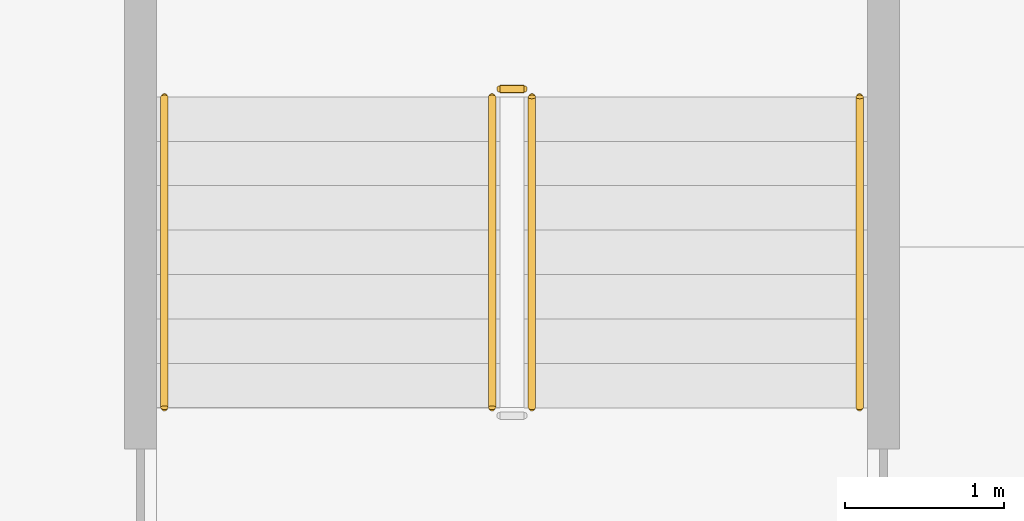
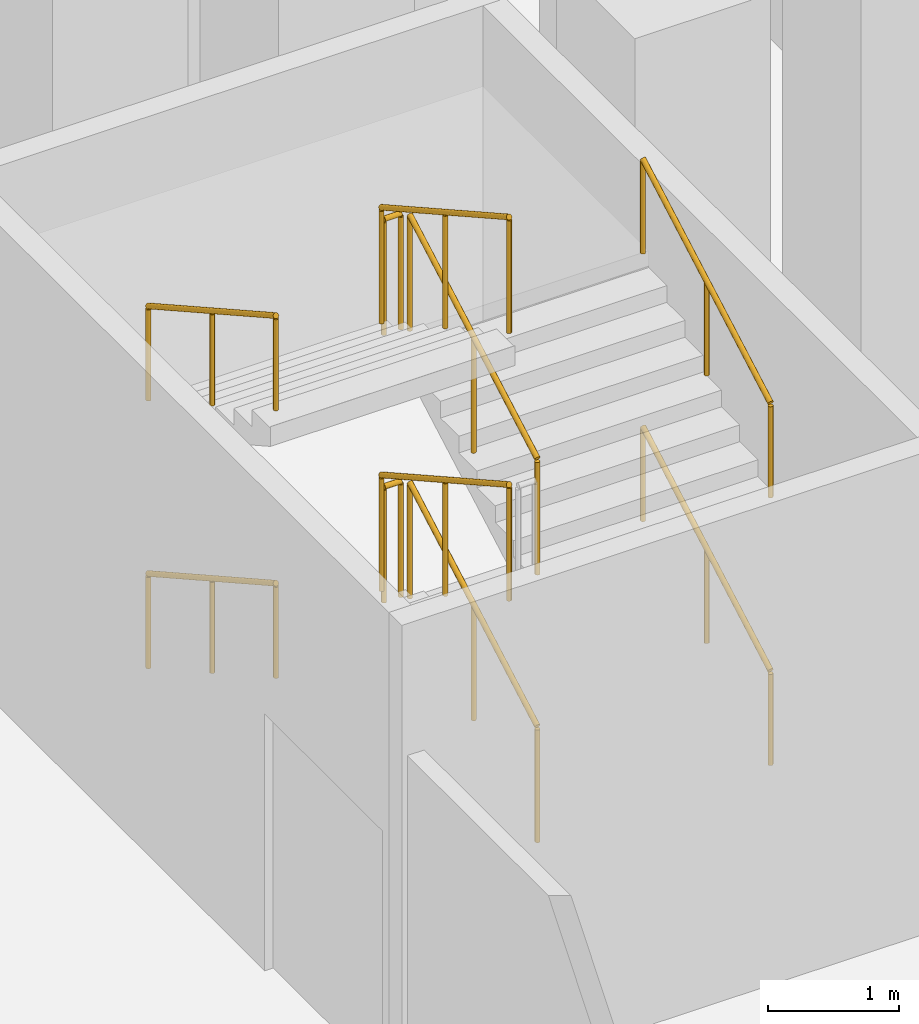
# One storey, part 26 of 27: 10 railings.
"""IFC4 building model written with IfcOpenShell, lengths in metres."""

from ifc_helpers import new_model, si_unit, direction, frame, origin, origin_2d, place, context, subcontext, project, spatial, circle, extrude, material, type_object, element, save


model = new_model("IFC4")

# Units and contexts
model_context = context("Model", 3, precision=1e-05, world=origin(), true_north=direction((0.0, 1.0)))
body_context = subcontext(model_context, "Body", "Model", "MODEL_VIEW")
ifc_project = project(units=[si_unit("LENGTHUNIT", "METRE"), si_unit("AREAUNIT", "SQUARE_METRE"), si_unit("VOLUMEUNIT", "CUBIC_METRE"), si_unit("PLANEANGLEUNIT", "RADIAN"), si_unit("MASSUNIT", "GRAM", prefix="KILO")], contexts=[model_context])

# Site, building, storey
site_placement = place(None, origin())
site = spatial("IfcSite", under=ifc_project, at=site_placement, CompositionType="ELEMENT")
building_placement = place(site_placement, origin())
building = spatial("IfcBuilding", under=site, at=building_placement, Name="Calabash Gate Tower", CompositionType="ELEMENT")
storey_placement = place(building_placement, frame((0.0, 0.0, -10.0)))
storey = spatial("IfcBuildingStorey", under=building, at=storey_placement, Name="B2", CompositionType="ELEMENT", Elevation=-10.0)

# Railings
ifc_material_1 = material(Name="Black powder-coated steel balusters", Category="steel")
railing_type_1 = type_object("IfcRailingType", Name="Stair guard RL1100", PredefinedType="GUARDRAIL", material=ifc_material_1)
railing_1_placement = place(storey_placement, frame((36.06005859375, 16.159912109375, 0.15625)))
element("IfcRailing", 1, at=railing_1_placement, inside=storey, type_object=railing_type_1, Name="B2 PS10 stair guard 1", PredefinedType="GUARDRAIL", context=body_context, shape_type="SweptSolid", body=[
    extrude(circle(Radius=0.02392578125, at=origin_2d()), frame((0.0, 0.0, 1.076171875), z_axis=(0.0, 0.87250601595, 0.488603368932), x_axis=(-1.0, 0.0, 0.0)), (0.0, 0.0, 1.0), 2.238525390625),
    extrude(circle(Radius=0.02099609375, at=origin_2d()), origin(), (0.0, 0.0, 1.0), 1.052001953125),
    extrude(circle(Radius=0.02099609375, at=origin_2d()), frame((0.0, 0.9765625, 0.546875)), (0.0, 0.0, 1.0), 1.052001953125),
    extrude(circle(Radius=0.02099609375, at=origin_2d()), frame((0.0, 1.953125, 1.09375)), (0.0, 0.0, 1.0), 1.052001953125),
])
railing_2_placement = place(storey_placement, frame((36.010009765625, 18.1630859375, 1.25)))
element("IfcRailing", 2, at=railing_2_placement, inside=storey, type_object=railing_type_1, Name="B2 PS10 stair guard 2", PredefinedType="GUARDRAIL", context=body_context, shape_type="SweptSolid", body=[
    extrude(circle(Radius=0.02392578125, at=origin_2d()), frame((0.0, 0.0, 1.076171875), z_axis=(-1.0, 0.0, 0.0), x_axis=(0.0, -1.0, 0.0)), (0.0, 0.0, 1.0), 0.14990234375),
    extrude(circle(Radius=0.02099609375, at=origin_2d()), origin(), (0.0, 0.0, 1.0), 1.052001953125),
    extrude(circle(Radius=0.02099609375, at=origin_2d()), frame((-0.14990234375, 0.0, 0.0)), (0.0, 0.0, 1.0), 1.052001953125),
])
railing_3_placement = place(storey_placement, frame((35.81005859375, 18.113037109375, 1.40625)))
element("IfcRailing", 3, at=railing_3_placement, inside=storey, type_object=railing_type_1, Name="B2 PS10 stair guard 3", PredefinedType="GUARDRAIL", context=body_context, shape_type="SweptSolid", body=[
    extrude(circle(Radius=0.02392578125, at=origin_2d()), frame((0.0, 0.0, 1.076171875), z_axis=(0.0, -0.87250601595, 0.488603368932), x_axis=(1.0, 0.0, 0.0)), (0.0, 0.0, 1.0), 2.238525390625),
    extrude(circle(Radius=0.02099609375, at=origin_2d()), origin(), (0.0, 0.0, 1.0), 1.052001953125),
    extrude(circle(Radius=0.02099609375, at=origin_2d()), frame((0.0, -0.9765625, 0.546875)), (0.0, 0.0, 1.0), 1.052001953125),
    extrude(circle(Radius=0.02099609375, at=origin_2d()), frame((0.0, -1.953125, 1.09375)), (0.0, 0.0, 1.0), 1.052001953125),
])
railing_4_placement = place(storey_placement, frame((36.06005859375, 16.159912109375, 2.65625)))
element("IfcRailing", 4, at=railing_4_placement, inside=storey, type_object=railing_type_1, Name="B2 PS10 stair guard 5", PredefinedType="GUARDRAIL", context=body_context, shape_type="SweptSolid", body=[
    extrude(circle(Radius=0.02392578125, at=origin_2d()), frame((0.0, 0.0, 1.076171875), z_axis=(0.0, 0.87250601595, 0.488603368932), x_axis=(-1.0, 0.0, 0.0)), (0.0, 0.0, 1.0), 2.238525390625),
    extrude(circle(Radius=0.02099609375, at=origin_2d()), origin(), (0.0, 0.0, 1.0), 1.052001953125),
    extrude(circle(Radius=0.02099609375, at=origin_2d()), frame((0.0, 0.9765625, 0.546875)), (0.0, 0.0, 1.0), 1.052001953125),
    extrude(circle(Radius=0.02099609375, at=origin_2d()), frame((0.0, 1.953125, 1.09375)), (0.0, 0.0, 1.0), 1.052001953125),
])
railing_5_placement = place(storey_placement, frame((36.010009765625, 18.1630859375, 3.75)))
element("IfcRailing", 5, at=railing_5_placement, inside=storey, type_object=railing_type_1, Name="B2 PS10 stair guard 6", PredefinedType="GUARDRAIL", context=body_context, shape_type="SweptSolid", body=[
    extrude(circle(Radius=0.02392578125, at=origin_2d()), frame((0.0, 0.0, 1.076171875), z_axis=(-1.0, 0.0, 0.0), x_axis=(0.0, -1.0, 0.0)), (0.0, 0.0, 1.0), 0.14990234375),
    extrude(circle(Radius=0.02099609375, at=origin_2d()), origin(), (0.0, 0.0, 1.0), 1.052001953125),
    extrude(circle(Radius=0.02099609375, at=origin_2d()), frame((-0.14990234375, 0.0, 0.0)), (0.0, 0.0, 1.0), 1.052001953125),
])
railing_6_placement = place(storey_placement, frame((35.81005859375, 18.113037109375, 3.90625)))
element("IfcRailing", 6, at=railing_6_placement, inside=storey, type_object=railing_type_1, Name="B2 PS10 stair guard 7", PredefinedType="GUARDRAIL", context=body_context, shape_type="SweptSolid", body=[
    extrude(circle(Radius=0.02392578125, at=origin_2d()), frame((0.0, 0.0, 1.076171875), z_axis=(0.0, -0.87250601595, 0.488603368932), x_axis=(1.0, 0.0, 0.0)), (0.0, 0.0, 1.0), 2.238525390625),
    extrude(circle(Radius=0.02099609375, at=origin_2d()), origin(), (0.0, 0.0, 1.0), 1.052001953125),
    extrude(circle(Radius=0.02099609375, at=origin_2d()), frame((0.0, -0.9765625, 0.546875)), (0.0, 0.0, 1.0), 1.052001953125),
    extrude(circle(Radius=0.02099609375, at=origin_2d()), frame((0.0, -1.953125, 1.09375)), (0.0, 0.0, 1.0), 1.052001953125),
])
ifc_material_2 = material(Name="Black powder-coated steel tube 48 mm", Category="steel")
railing_type_2 = type_object("IfcRailingType", Name="Stair handrail RL900", PredefinedType="HANDRAIL", material=ifc_material_2)
railing_7_placement = place(storey_placement, frame((38.1201171875, 16.159912109375, 0.15625)))
element("IfcRailing", 7, at=railing_7_placement, inside=storey, type_object=railing_type_2, Name="B2 PS10 stair handrail 1", PredefinedType="HANDRAIL", context=body_context, shape_type="SweptSolid", body=[
    extrude(circle(Radius=0.02392578125, at=origin_2d()), frame((0.0, 0.0, 0.8759765625), z_axis=(0.0, 0.87250601595, 0.488603368932), x_axis=(-1.0, 0.0, 0.0)), (0.0, 0.0, 1.0), 2.238525390625),
    extrude(circle(Radius=0.02099609375, at=origin_2d()), origin(), (0.0, 0.0, 1.0), 0.851806640625),
    extrude(circle(Radius=0.02099609375, at=origin_2d()), frame((0.0, 0.9765625, 0.546875)), (0.0, 0.0, 1.0), 0.851806640625),
    extrude(circle(Radius=0.02099609375, at=origin_2d()), frame((0.0, 1.953125, 1.09375)), (0.0, 0.0, 1.0), 0.851806640625),
])
railing_8_placement = place(storey_placement, frame((33.75, 18.113037109375, 1.40625)))
element("IfcRailing", 8, at=railing_8_placement, inside=storey, type_object=railing_type_2, Name="B2 PS10 stair handrail 2", PredefinedType="HANDRAIL", context=body_context, shape_type="SweptSolid", body=[
    extrude(circle(Radius=0.02392578125, at=origin_2d()), frame((0.0, 0.0, 0.8759765625), z_axis=(0.0, -0.87250601595, 0.488603368932), x_axis=(1.0, 0.0, 0.0)), (0.0, 0.0, 1.0), 2.238525390625),
    extrude(circle(Radius=0.02099609375, at=origin_2d()), origin(), (0.0, 0.0, 1.0), 0.851806640625),
    extrude(circle(Radius=0.02099609375, at=origin_2d()), frame((0.0, -0.9765625, 0.546875)), (0.0, 0.0, 1.0), 0.851806640625),
    extrude(circle(Radius=0.02099609375, at=origin_2d()), frame((0.0, -1.953125, 1.09375)), (0.0, 0.0, 1.0), 0.851806640625),
])
railing_9_placement = place(storey_placement, frame((38.1201171875, 16.159912109375, 2.65625)))
element("IfcRailing", 9, at=railing_9_placement, inside=storey, type_object=railing_type_2, Name="B2 PS10 stair handrail 3", PredefinedType="HANDRAIL", context=body_context, shape_type="SweptSolid", body=[
    extrude(circle(Radius=0.02392578125, at=origin_2d()), frame((0.0, 0.0, 0.8759765625), z_axis=(0.0, 0.87250601595, 0.488603368932), x_axis=(-1.0, 0.0, 0.0)), (0.0, 0.0, 1.0), 2.238525390625),
    extrude(circle(Radius=0.02099609375, at=origin_2d()), origin(), (0.0, 0.0, 1.0), 0.851806640625),
    extrude(circle(Radius=0.02099609375, at=origin_2d()), frame((0.0, 0.9765625, 0.546875)), (0.0, 0.0, 1.0), 0.851806640625),
    extrude(circle(Radius=0.02099609375, at=origin_2d()), frame((0.0, 1.953125, 1.09375)), (0.0, 0.0, 1.0), 0.851806640625),
])
railing_10_placement = place(storey_placement, frame((33.75, 18.113037109375, 3.90625)))
element("IfcRailing", 10, at=railing_10_placement, inside=storey, type_object=railing_type_2, Name="B2 PS10 stair handrail 4", PredefinedType="HANDRAIL", context=body_context, shape_type="SweptSolid", body=[
    extrude(circle(Radius=0.02392578125, at=origin_2d()), frame((0.0, 0.0, 0.8759765625), z_axis=(0.0, -0.87250601595, 0.488603368932), x_axis=(1.0, 0.0, 0.0)), (0.0, 0.0, 1.0), 2.238525390625),
    extrude(circle(Radius=0.02099609375, at=origin_2d()), origin(), (0.0, 0.0, 1.0), 0.851806640625),
    extrude(circle(Radius=0.02099609375, at=origin_2d()), frame((0.0, -0.9765625, 0.546875)), (0.0, 0.0, 1.0), 0.851806640625),
    extrude(circle(Radius=0.02099609375, at=origin_2d()), frame((0.0, -1.953125, 1.09375)), (0.0, 0.0, 1.0), 0.851806640625),
])

save(model, "model.ifc")
